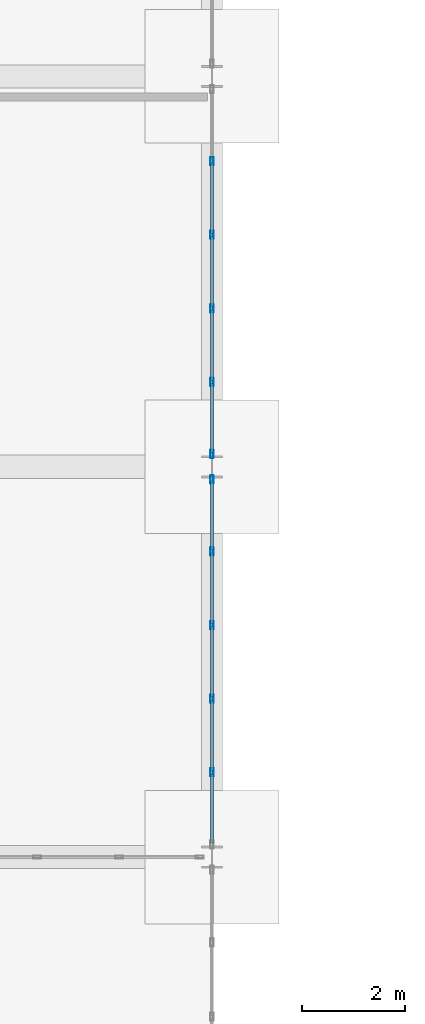
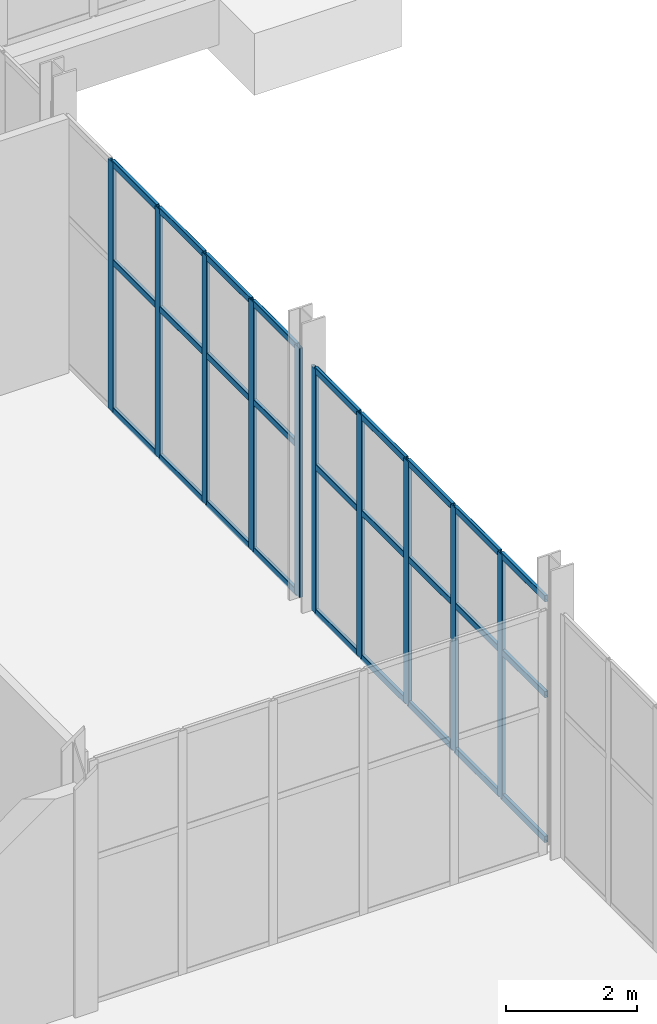
# One storey, part 33 of 95: 37 members, 2 elements without a shape of their own.
"""IFC4 building model written with IfcOpenShell, lengths in metres."""

from ifc_helpers import new_model, si_unit, direction, frame, origin, origin_2d, place, context, subcontext, project, spatial, hollow_rectangle, extrude, material, material_profile, profile_set, type_object, element, aggregate, save


model = new_model("IFC4")

# Units and contexts
model_context = context("Model", 3, precision=1e-05, world=origin(), true_north=direction((0.0, 1.0)))
body_context = subcontext(model_context, "Body", "Model", "MODEL_VIEW")
ifc_project = project(units=[si_unit("LENGTHUNIT", "METRE"), si_unit("AREAUNIT", "SQUARE_METRE"), si_unit("VOLUMEUNIT", "CUBIC_METRE"), si_unit("PLANEANGLEUNIT", "RADIAN"), si_unit("MASSUNIT", "GRAM", prefix="KILO")], contexts=[model_context])

# Site, building, storey
site_placement = place(None, origin())
site = spatial("IfcSite", under=ifc_project, at=site_placement, CompositionType="ELEMENT")
building_placement = place(site_placement, origin())
building = spatial("IfcBuilding", under=site, at=building_placement, Name="Shengluoqiao Park Theatre", CompositionType="ELEMENT")
storey_placement = place(building_placement, origin())
storey = spatial("IfcBuildingStorey", under=building, at=storey_placement, Name="L00", CompositionType="ELEMENT", Elevation=0.0)

# Curtain wall, members
ifc_material = material(Name="Aluminium 6063-T6", Category="aluminium")
curtain_wall_type = type_object("IfcCurtainWallType", Name="ENV-CW-COURT", PredefinedType="NOTDEFINED", material=ifc_material)
curtain_wall_1_placement = place(storey_placement, origin())
curtain_wall_1 = element("IfcCurtainWall", 1, at=curtain_wall_1_placement, inside=storey, type_object=curtain_wall_type, Name="L00 Curtain Wall CWX-L00-0013", PredefinedType="NOTDEFINED")
ifc_material_profile_1 = material_profile(ifc_material, hollow_rectangle(XDim=0.06005859375, YDim=0.159912109375, WallThickness=0.00390625, InnerFilletRadius=0.00390625, OuterFilletRadius=0.008056640625, at=origin_2d()), Name="ALU MULLION 160x60x4")
ifc_profile_set_1 = profile_set([ifc_material_profile_1], Name="Aluminium 6063-T6")
member_type_1 = type_object("IfcMemberType", Name="ENV-MUL-160", PredefinedType="MULLION", material=ifc_profile_set_1)
member_1_placement = place(storey_placement, frame((36.0, 32.05078125, 0.0), z_axis=(0.0, 0.0, 1.0), x_axis=(-1.0, 0.0, 0.0)))
member_1 = element("IfcMember", 2, at=member_1_placement, type_object=member_type_1, Name="CW-05 mullion 2", PredefinedType="MULLION", context=body_context, shape_type="SweptSolid", body=[
    extrude(hollow_rectangle(XDim=0.06005859375, YDim=0.159912109375, WallThickness=0.00390625, InnerFilletRadius=0.00390625, OuterFilletRadius=0.008056640625, at=origin_2d()), origin(), (0.0, 0.0, 1.0), 4.550048828125),
])
member_2_placement = place(storey_placement, frame((36.0, 33.483642578125, 0.0), z_axis=(0.0, 0.0, 1.0), x_axis=(-1.0, 0.0, 0.0)))
member_2 = element("IfcMember", 3, at=member_2_placement, type_object=member_type_1, Name="CW-05 mullion 3", PredefinedType="MULLION", context=body_context, shape_type="SweptSolid", body=[
    extrude(hollow_rectangle(XDim=0.06005859375, YDim=0.159912109375, WallThickness=0.00390625, InnerFilletRadius=0.00390625, OuterFilletRadius=0.008056640625, at=origin_2d()), origin(), (0.0, 0.0, 1.0), 4.550048828125),
])
member_3_placement = place(storey_placement, frame((36.0, 34.91650390625, 0.0), z_axis=(0.0, 0.0, 1.0), x_axis=(-1.0, 0.0, 0.0)))
member_3 = element("IfcMember", 4, at=member_3_placement, type_object=member_type_1, Name="CW-05 mullion 4", PredefinedType="MULLION", context=body_context, shape_type="SweptSolid", body=[
    extrude(hollow_rectangle(XDim=0.06005859375, YDim=0.159912109375, WallThickness=0.00390625, InnerFilletRadius=0.00390625, OuterFilletRadius=0.008056640625, at=origin_2d()), origin(), (0.0, 0.0, 1.0), 4.550048828125),
])
member_4_placement = place(storey_placement, frame((36.0, 36.34912109375, 0.0), z_axis=(0.0, 0.0, 1.0), x_axis=(-1.0, 0.0, 0.0)))
member_4 = element("IfcMember", 5, at=member_4_placement, type_object=member_type_1, Name="CW-05 mullion 5", PredefinedType="MULLION", context=body_context, shape_type="SweptSolid", body=[
    extrude(hollow_rectangle(XDim=0.06005859375, YDim=0.159912109375, WallThickness=0.00390625, InnerFilletRadius=0.00390625, OuterFilletRadius=0.008056640625, at=origin_2d()), origin(), (0.0, 0.0, 1.0), 4.550048828125),
])
member_5_placement = place(storey_placement, frame((36.0, 37.751953125, 0.0), z_axis=(0.0, 0.0, 1.0), x_axis=(-1.0, 0.0, 0.0)))
member_5 = element("IfcMember", 6, at=member_5_placement, type_object=member_type_1, Name="CW-05 mullion 6", PredefinedType="MULLION", context=body_context, shape_type="SweptSolid", body=[
    extrude(hollow_rectangle(XDim=0.06005859375, YDim=0.159912109375, WallThickness=0.00390625, InnerFilletRadius=0.00390625, OuterFilletRadius=0.008056640625, at=origin_2d()), origin(), (0.0, 0.0, 1.0), 4.550048828125),
])

curtain_wall_2_placement = place(storey_placement, origin())
curtain_wall_2 = element("IfcCurtainWall", 7, at=curtain_wall_2_placement, inside=storey, type_object=curtain_wall_type, Name="L00 Curtain Wall CWX-L00-0014", PredefinedType="NOTDEFINED")
member_6_placement = place(storey_placement, frame((36.0, 38.248046875, 0.0), z_axis=(0.0, 0.0, 1.0), x_axis=(-1.0, 0.0, 0.0)))
member_6 = element("IfcMember", 8, at=member_6_placement, type_object=member_type_1, Name="CW-05 mullion 1", PredefinedType="MULLION", context=body_context, shape_type="SweptSolid", body=[
    extrude(hollow_rectangle(XDim=0.06005859375, YDim=0.159912109375, WallThickness=0.00390625, InnerFilletRadius=0.00390625, OuterFilletRadius=0.008056640625, at=origin_2d()), origin(), (0.0, 0.0, 1.0), 4.64990234375),
])
member_7_placement = place(storey_placement, frame((36.0, 39.65087890625, 0.0), z_axis=(0.0, 0.0, 1.0), x_axis=(-1.0, 0.0, 0.0)))
member_7 = element("IfcMember", 9, at=member_7_placement, type_object=member_type_1, Name="CW-05 mullion 2", PredefinedType="MULLION", context=body_context, shape_type="SweptSolid", body=[
    extrude(hollow_rectangle(XDim=0.06005859375, YDim=0.159912109375, WallThickness=0.00390625, InnerFilletRadius=0.00390625, OuterFilletRadius=0.008056640625, at=origin_2d()), origin(), (0.0, 0.0, 1.0), 4.64990234375),
])
member_8_placement = place(storey_placement, frame((36.0, 41.08349609375, 0.0), z_axis=(0.0, 0.0, 1.0), x_axis=(-1.0, 0.0, 0.0)))
member_8 = element("IfcMember", 10, at=member_8_placement, type_object=member_type_1, Name="CW-05 mullion 3", PredefinedType="MULLION", context=body_context, shape_type="SweptSolid", body=[
    extrude(hollow_rectangle(XDim=0.06005859375, YDim=0.159912109375, WallThickness=0.00390625, InnerFilletRadius=0.00390625, OuterFilletRadius=0.008056640625, at=origin_2d()), origin(), (0.0, 0.0, 1.0), 4.64990234375),
])
member_9_placement = place(storey_placement, frame((36.0, 42.516357421875, 0.0), z_axis=(0.0, 0.0, 1.0), x_axis=(-1.0, 0.0, 0.0)))
member_9 = element("IfcMember", 11, at=member_9_placement, type_object=member_type_1, Name="CW-05 mullion 4", PredefinedType="MULLION", context=body_context, shape_type="SweptSolid", body=[
    extrude(hollow_rectangle(XDim=0.06005859375, YDim=0.159912109375, WallThickness=0.00390625, InnerFilletRadius=0.00390625, OuterFilletRadius=0.008056640625, at=origin_2d()), origin(), (0.0, 0.0, 1.0), 4.64990234375),
])
member_10_placement = place(storey_placement, frame((36.0, 43.94921875, 0.0), z_axis=(0.0, 0.0, 1.0), x_axis=(-1.0, 0.0, 0.0)))
member_10 = element("IfcMember", 12, at=member_10_placement, type_object=member_type_1, Name="CW-05 mullion 5", PredefinedType="MULLION", context=body_context, shape_type="SweptSolid", body=[
    extrude(hollow_rectangle(XDim=0.06005859375, YDim=0.159912109375, WallThickness=0.00390625, InnerFilletRadius=0.00390625, OuterFilletRadius=0.008056640625, at=origin_2d()), origin(), (0.0, 0.0, 1.0), 4.64990234375),
])

# Member
ifc_material_profile_2 = material_profile(ifc_material, hollow_rectangle(XDim=0.06005859375, YDim=0.1201171875, WallThickness=0.00390625, InnerFilletRadius=0.00390625, OuterFilletRadius=0.008056640625, at=origin_2d()), Name="ALU TRANSOM 120x60x4")
ifc_profile_set_2 = profile_set([ifc_material_profile_2], Name="Aluminium 6063-T6")
member_type_2 = type_object("IfcMemberType", Name="ENV-TRN-120", PredefinedType="USERDEFINED", material=ifc_profile_set_2)
member_11_placement = place(storey_placement, frame((36.0, 30.677978515625, 0.030029296875), z_axis=(0.0, 1.0, 0.0), x_axis=(-1.0, 0.0, 0.0)))
member_11 = element("IfcMember", 13, at=member_11_placement, type_object=member_type_2, Name="CW-05 transom 1.1", ObjectType="TRANSOM", PredefinedType="USERDEFINED", context=body_context, shape_type="SweptSolid", body=[
    extrude(hollow_rectangle(XDim=0.06005859375, YDim=0.1201171875, WallThickness=0.00390625, InnerFilletRadius=0.00390625, OuterFilletRadius=0.008056640625, at=origin_2d()), origin(), (0.0, 0.0, 1.0), 1.3427734375),
])

member_12_placement = place(storey_placement, frame((36.0, 30.677978515625, 2.72998046875), z_axis=(0.0, 1.0, 0.0), x_axis=(-1.0, 0.0, 0.0)))
member_12 = element("IfcMember", 14, at=member_12_placement, type_object=member_type_2, Name="CW-05 transom 1.2", ObjectType="TRANSOM", PredefinedType="USERDEFINED", context=body_context, shape_type="SweptSolid", body=[
    extrude(hollow_rectangle(XDim=0.06005859375, YDim=0.1201171875, WallThickness=0.00390625, InnerFilletRadius=0.00390625, OuterFilletRadius=0.008056640625, at=origin_2d()), origin(), (0.0, 0.0, 1.0), 1.3427734375),
])

member_13_placement = place(storey_placement, frame((36.0, 30.677978515625, 4.52001953125), z_axis=(0.0, 1.0, 0.0), x_axis=(-1.0, 0.0, 0.0)))
member_13 = element("IfcMember", 15, at=member_13_placement, type_object=member_type_2, Name="CW-05 transom 1.3", ObjectType="TRANSOM", PredefinedType="USERDEFINED", context=body_context, shape_type="SweptSolid", body=[
    extrude(hollow_rectangle(XDim=0.06005859375, YDim=0.1201171875, WallThickness=0.00390625, InnerFilletRadius=0.00390625, OuterFilletRadius=0.008056640625, at=origin_2d()), origin(), (0.0, 0.0, 1.0), 1.3427734375),
])

member_14_placement = place(storey_placement, frame((36.0, 32.080810546875, 0.030029296875), z_axis=(0.0, 1.0, 0.0), x_axis=(-1.0, 0.0, 0.0)))
member_14 = element("IfcMember", 16, at=member_14_placement, type_object=member_type_2, Name="CW-05 transom 2.1", ObjectType="TRANSOM", PredefinedType="USERDEFINED", context=body_context, shape_type="SweptSolid", body=[
    extrude(hollow_rectangle(XDim=0.06005859375, YDim=0.1201171875, WallThickness=0.00390625, InnerFilletRadius=0.00390625, OuterFilletRadius=0.008056640625, at=origin_2d()), origin(), (0.0, 0.0, 1.0), 1.372802734375),
])

member_15_placement = place(storey_placement, frame((36.0, 32.080810546875, 2.72998046875), z_axis=(0.0, 1.0, 0.0), x_axis=(-1.0, 0.0, 0.0)))
member_15 = element("IfcMember", 17, at=member_15_placement, type_object=member_type_2, Name="CW-05 transom 2.2", ObjectType="TRANSOM", PredefinedType="USERDEFINED", context=body_context, shape_type="SweptSolid", body=[
    extrude(hollow_rectangle(XDim=0.06005859375, YDim=0.1201171875, WallThickness=0.00390625, InnerFilletRadius=0.00390625, OuterFilletRadius=0.008056640625, at=origin_2d()), origin(), (0.0, 0.0, 1.0), 1.372802734375),
])

member_16_placement = place(storey_placement, frame((36.0, 32.080810546875, 4.52001953125), z_axis=(0.0, 1.0, 0.0), x_axis=(-1.0, 0.0, 0.0)))
member_16 = element("IfcMember", 18, at=member_16_placement, type_object=member_type_2, Name="CW-05 transom 2.3", ObjectType="TRANSOM", PredefinedType="USERDEFINED", context=body_context, shape_type="SweptSolid", body=[
    extrude(hollow_rectangle(XDim=0.06005859375, YDim=0.1201171875, WallThickness=0.00390625, InnerFilletRadius=0.00390625, OuterFilletRadius=0.008056640625, at=origin_2d()), origin(), (0.0, 0.0, 1.0), 1.372802734375),
])

member_17_placement = place(storey_placement, frame((36.0, 33.513671875, 0.030029296875), z_axis=(0.0, 1.0, 0.0), x_axis=(-1.0, 0.0, 0.0)))
member_17 = element("IfcMember", 19, at=member_17_placement, type_object=member_type_2, Name="CW-05 transom 3.1", ObjectType="TRANSOM", PredefinedType="USERDEFINED", context=body_context, shape_type="SweptSolid", body=[
    extrude(hollow_rectangle(XDim=0.06005859375, YDim=0.1201171875, WallThickness=0.00390625, InnerFilletRadius=0.00390625, OuterFilletRadius=0.008056640625, at=origin_2d()), origin(), (0.0, 0.0, 1.0), 1.372802734375),
])

member_18_placement = place(storey_placement, frame((36.0, 33.513671875, 2.72998046875), z_axis=(0.0, 1.0, 0.0), x_axis=(-1.0, 0.0, 0.0)))
member_18 = element("IfcMember", 20, at=member_18_placement, type_object=member_type_2, Name="CW-05 transom 3.2", ObjectType="TRANSOM", PredefinedType="USERDEFINED", context=body_context, shape_type="SweptSolid", body=[
    extrude(hollow_rectangle(XDim=0.06005859375, YDim=0.1201171875, WallThickness=0.00390625, InnerFilletRadius=0.00390625, OuterFilletRadius=0.008056640625, at=origin_2d()), origin(), (0.0, 0.0, 1.0), 1.372802734375),
])

member_19_placement = place(storey_placement, frame((36.0, 33.513671875, 4.52001953125), z_axis=(0.0, 1.0, 0.0), x_axis=(-1.0, 0.0, 0.0)))
member_19 = element("IfcMember", 21, at=member_19_placement, type_object=member_type_2, Name="CW-05 transom 3.3", ObjectType="TRANSOM", PredefinedType="USERDEFINED", context=body_context, shape_type="SweptSolid", body=[
    extrude(hollow_rectangle(XDim=0.06005859375, YDim=0.1201171875, WallThickness=0.00390625, InnerFilletRadius=0.00390625, OuterFilletRadius=0.008056640625, at=origin_2d()), origin(), (0.0, 0.0, 1.0), 1.372802734375),
])

member_20_placement = place(storey_placement, frame((36.0, 34.9462890625, 0.030029296875), z_axis=(0.0, 1.0, 0.0), x_axis=(-1.0, 0.0, 0.0)))
member_20 = element("IfcMember", 22, at=member_20_placement, type_object=member_type_2, Name="CW-05 transom 4.1", ObjectType="TRANSOM", PredefinedType="USERDEFINED", context=body_context, shape_type="SweptSolid", body=[
    extrude(hollow_rectangle(XDim=0.06005859375, YDim=0.1201171875, WallThickness=0.00390625, InnerFilletRadius=0.00390625, OuterFilletRadius=0.008056640625, at=origin_2d()), origin(), (0.0, 0.0, 1.0), 1.372802734375),
])

member_21_placement = place(storey_placement, frame((36.0, 34.9462890625, 2.72998046875), z_axis=(0.0, 1.0, 0.0), x_axis=(-1.0, 0.0, 0.0)))
member_21 = element("IfcMember", 23, at=member_21_placement, type_object=member_type_2, Name="CW-05 transom 4.2", ObjectType="TRANSOM", PredefinedType="USERDEFINED", context=body_context, shape_type="SweptSolid", body=[
    extrude(hollow_rectangle(XDim=0.06005859375, YDim=0.1201171875, WallThickness=0.00390625, InnerFilletRadius=0.00390625, OuterFilletRadius=0.008056640625, at=origin_2d()), origin(), (0.0, 0.0, 1.0), 1.372802734375),
])

member_22_placement = place(storey_placement, frame((36.0, 34.9462890625, 4.52001953125), z_axis=(0.0, 1.0, 0.0), x_axis=(-1.0, 0.0, 0.0)))
member_22 = element("IfcMember", 24, at=member_22_placement, type_object=member_type_2, Name="CW-05 transom 4.3", ObjectType="TRANSOM", PredefinedType="USERDEFINED", context=body_context, shape_type="SweptSolid", body=[
    extrude(hollow_rectangle(XDim=0.06005859375, YDim=0.1201171875, WallThickness=0.00390625, InnerFilletRadius=0.00390625, OuterFilletRadius=0.008056640625, at=origin_2d()), origin(), (0.0, 0.0, 1.0), 1.372802734375),
])

member_23_placement = place(storey_placement, frame((36.0, 36.379150390625, 0.030029296875), z_axis=(0.0, 1.0, 0.0), x_axis=(-1.0, 0.0, 0.0)))
member_23 = element("IfcMember", 25, at=member_23_placement, type_object=member_type_2, Name="CW-05 transom 5.1", ObjectType="TRANSOM", PredefinedType="USERDEFINED", context=body_context, shape_type="SweptSolid", body=[
    extrude(hollow_rectangle(XDim=0.06005859375, YDim=0.1201171875, WallThickness=0.00390625, InnerFilletRadius=0.00390625, OuterFilletRadius=0.008056640625, at=origin_2d()), origin(), (0.0, 0.0, 1.0), 1.3427734375),
])

member_24_placement = place(storey_placement, frame((36.0, 36.379150390625, 2.72998046875), z_axis=(0.0, 1.0, 0.0), x_axis=(-1.0, 0.0, 0.0)))
member_24 = element("IfcMember", 26, at=member_24_placement, type_object=member_type_2, Name="CW-05 transom 5.2", ObjectType="TRANSOM", PredefinedType="USERDEFINED", context=body_context, shape_type="SweptSolid", body=[
    extrude(hollow_rectangle(XDim=0.06005859375, YDim=0.1201171875, WallThickness=0.00390625, InnerFilletRadius=0.00390625, OuterFilletRadius=0.008056640625, at=origin_2d()), origin(), (0.0, 0.0, 1.0), 1.3427734375),
])

member_25_placement = place(storey_placement, frame((36.0, 36.379150390625, 4.52001953125), z_axis=(0.0, 1.0, 0.0), x_axis=(-1.0, 0.0, 0.0)))
member_25 = element("IfcMember", 27, at=member_25_placement, type_object=member_type_2, Name="CW-05 transom 5.3", ObjectType="TRANSOM", PredefinedType="USERDEFINED", context=body_context, shape_type="SweptSolid", body=[
    extrude(hollow_rectangle(XDim=0.06005859375, YDim=0.1201171875, WallThickness=0.00390625, InnerFilletRadius=0.00390625, OuterFilletRadius=0.008056640625, at=origin_2d()), origin(), (0.0, 0.0, 1.0), 1.3427734375),
])

aggregate(curtain_wall_1, [member_1, member_2, member_3, member_4, member_5, member_11, member_12, member_13, member_14, member_15, member_16, member_17, member_18, member_19, member_20, member_21, member_22, member_23, member_24, member_25])

member_26_placement = place(storey_placement, frame((36.0, 38.278076171875, 0.030029296875), z_axis=(0.0, 1.0, 0.0), x_axis=(-1.0, 0.0, 0.0)))
member_26 = element("IfcMember", 28, at=member_26_placement, type_object=member_type_2, Name="CW-05 transom 1.1", ObjectType="TRANSOM", PredefinedType="USERDEFINED", context=body_context, shape_type="SweptSolid", body=[
    extrude(hollow_rectangle(XDim=0.06005859375, YDim=0.1201171875, WallThickness=0.00390625, InnerFilletRadius=0.00390625, OuterFilletRadius=0.008056640625, at=origin_2d()), origin(), (0.0, 0.0, 1.0), 1.3427734375),
])

member_27_placement = place(storey_placement, frame((36.0, 38.278076171875, 2.7900390625), z_axis=(0.0, 1.0, 0.0), x_axis=(-1.0, 0.0, 0.0)))
member_27 = element("IfcMember", 29, at=member_27_placement, type_object=member_type_2, Name="CW-05 transom 1.2", ObjectType="TRANSOM", PredefinedType="USERDEFINED", context=body_context, shape_type="SweptSolid", body=[
    extrude(hollow_rectangle(XDim=0.06005859375, YDim=0.1201171875, WallThickness=0.00390625, InnerFilletRadius=0.00390625, OuterFilletRadius=0.008056640625, at=origin_2d()), origin(), (0.0, 0.0, 1.0), 1.3427734375),
])

member_28_placement = place(storey_placement, frame((36.0, 38.278076171875, 4.6201171875), z_axis=(0.0, 1.0, 0.0), x_axis=(-1.0, 0.0, 0.0)))
member_28 = element("IfcMember", 30, at=member_28_placement, type_object=member_type_2, Name="CW-05 transom 1.3", ObjectType="TRANSOM", PredefinedType="USERDEFINED", context=body_context, shape_type="SweptSolid", body=[
    extrude(hollow_rectangle(XDim=0.06005859375, YDim=0.1201171875, WallThickness=0.00390625, InnerFilletRadius=0.00390625, OuterFilletRadius=0.008056640625, at=origin_2d()), origin(), (0.0, 0.0, 1.0), 1.3427734375),
])

member_29_placement = place(storey_placement, frame((36.0, 39.680908203125, 0.030029296875), z_axis=(0.0, 1.0, 0.0), x_axis=(-1.0, 0.0, 0.0)))
member_29 = element("IfcMember", 31, at=member_29_placement, type_object=member_type_2, Name="CW-05 transom 2.1", ObjectType="TRANSOM", PredefinedType="USERDEFINED", context=body_context, shape_type="SweptSolid", body=[
    extrude(hollow_rectangle(XDim=0.06005859375, YDim=0.1201171875, WallThickness=0.00390625, InnerFilletRadius=0.00390625, OuterFilletRadius=0.008056640625, at=origin_2d()), origin(), (0.0, 0.0, 1.0), 1.372802734375),
])

member_30_placement = place(storey_placement, frame((36.0, 39.680908203125, 2.7900390625), z_axis=(0.0, 1.0, 0.0), x_axis=(-1.0, 0.0, 0.0)))
member_30 = element("IfcMember", 32, at=member_30_placement, type_object=member_type_2, Name="CW-05 transom 2.2", ObjectType="TRANSOM", PredefinedType="USERDEFINED", context=body_context, shape_type="SweptSolid", body=[
    extrude(hollow_rectangle(XDim=0.06005859375, YDim=0.1201171875, WallThickness=0.00390625, InnerFilletRadius=0.00390625, OuterFilletRadius=0.008056640625, at=origin_2d()), origin(), (0.0, 0.0, 1.0), 1.372802734375),
])

member_31_placement = place(storey_placement, frame((36.0, 39.680908203125, 4.6201171875), z_axis=(0.0, 1.0, 0.0), x_axis=(-1.0, 0.0, 0.0)))
member_31 = element("IfcMember", 33, at=member_31_placement, type_object=member_type_2, Name="CW-05 transom 2.3", ObjectType="TRANSOM", PredefinedType="USERDEFINED", context=body_context, shape_type="SweptSolid", body=[
    extrude(hollow_rectangle(XDim=0.06005859375, YDim=0.1201171875, WallThickness=0.00390625, InnerFilletRadius=0.00390625, OuterFilletRadius=0.008056640625, at=origin_2d()), origin(), (0.0, 0.0, 1.0), 1.372802734375),
])

member_32_placement = place(storey_placement, frame((36.0, 41.113525390625, 0.030029296875), z_axis=(0.0, 1.0, 0.0), x_axis=(-1.0, 0.0, 0.0)))
member_32 = element("IfcMember", 34, at=member_32_placement, type_object=member_type_2, Name="CW-05 transom 3.1", ObjectType="TRANSOM", PredefinedType="USERDEFINED", context=body_context, shape_type="SweptSolid", body=[
    extrude(hollow_rectangle(XDim=0.06005859375, YDim=0.1201171875, WallThickness=0.00390625, InnerFilletRadius=0.00390625, OuterFilletRadius=0.008056640625, at=origin_2d()), origin(), (0.0, 0.0, 1.0), 1.372802734375),
])

member_33_placement = place(storey_placement, frame((36.0, 41.113525390625, 2.7900390625), z_axis=(0.0, 1.0, 0.0), x_axis=(-1.0, 0.0, 0.0)))
member_33 = element("IfcMember", 35, at=member_33_placement, type_object=member_type_2, Name="CW-05 transom 3.2", ObjectType="TRANSOM", PredefinedType="USERDEFINED", context=body_context, shape_type="SweptSolid", body=[
    extrude(hollow_rectangle(XDim=0.06005859375, YDim=0.1201171875, WallThickness=0.00390625, InnerFilletRadius=0.00390625, OuterFilletRadius=0.008056640625, at=origin_2d()), origin(), (0.0, 0.0, 1.0), 1.372802734375),
])

member_34_placement = place(storey_placement, frame((36.0, 41.113525390625, 4.6201171875), z_axis=(0.0, 1.0, 0.0), x_axis=(-1.0, 0.0, 0.0)))
member_34 = element("IfcMember", 36, at=member_34_placement, type_object=member_type_2, Name="CW-05 transom 3.3", ObjectType="TRANSOM", PredefinedType="USERDEFINED", context=body_context, shape_type="SweptSolid", body=[
    extrude(hollow_rectangle(XDim=0.06005859375, YDim=0.1201171875, WallThickness=0.00390625, InnerFilletRadius=0.00390625, OuterFilletRadius=0.008056640625, at=origin_2d()), origin(), (0.0, 0.0, 1.0), 1.372802734375),
])

member_35_placement = place(storey_placement, frame((36.0, 42.54638671875, 0.030029296875), z_axis=(0.0, 1.0, 0.0), x_axis=(-1.0, 0.0, 0.0)))
member_35 = element("IfcMember", 37, at=member_35_placement, type_object=member_type_2, Name="CW-05 transom 4.1", ObjectType="TRANSOM", PredefinedType="USERDEFINED", context=body_context, shape_type="SweptSolid", body=[
    extrude(hollow_rectangle(XDim=0.06005859375, YDim=0.1201171875, WallThickness=0.00390625, InnerFilletRadius=0.00390625, OuterFilletRadius=0.008056640625, at=origin_2d()), origin(), (0.0, 0.0, 1.0), 1.372802734375),
])

member_36_placement = place(storey_placement, frame((36.0, 42.54638671875, 2.7900390625), z_axis=(0.0, 1.0, 0.0), x_axis=(-1.0, 0.0, 0.0)))
member_36 = element("IfcMember", 38, at=member_36_placement, type_object=member_type_2, Name="CW-05 transom 4.2", ObjectType="TRANSOM", PredefinedType="USERDEFINED", context=body_context, shape_type="SweptSolid", body=[
    extrude(hollow_rectangle(XDim=0.06005859375, YDim=0.1201171875, WallThickness=0.00390625, InnerFilletRadius=0.00390625, OuterFilletRadius=0.008056640625, at=origin_2d()), origin(), (0.0, 0.0, 1.0), 1.372802734375),
])

member_37_placement = place(storey_placement, frame((36.0, 42.54638671875, 4.6201171875), z_axis=(0.0, 1.0, 0.0), x_axis=(-1.0, 0.0, 0.0)))
member_37 = element("IfcMember", 39, at=member_37_placement, type_object=member_type_2, Name="CW-05 transom 4.3", ObjectType="TRANSOM", PredefinedType="USERDEFINED", context=body_context, shape_type="SweptSolid", body=[
    extrude(hollow_rectangle(XDim=0.06005859375, YDim=0.1201171875, WallThickness=0.00390625, InnerFilletRadius=0.00390625, OuterFilletRadius=0.008056640625, at=origin_2d()), origin(), (0.0, 0.0, 1.0), 1.372802734375),
])

aggregate(curtain_wall_2, [member_6, member_7, member_8, member_9, member_10, member_26, member_27, member_28, member_29, member_30, member_31, member_32, member_33, member_34, member_35, member_36, member_37])

save(model, "model.ifc")
